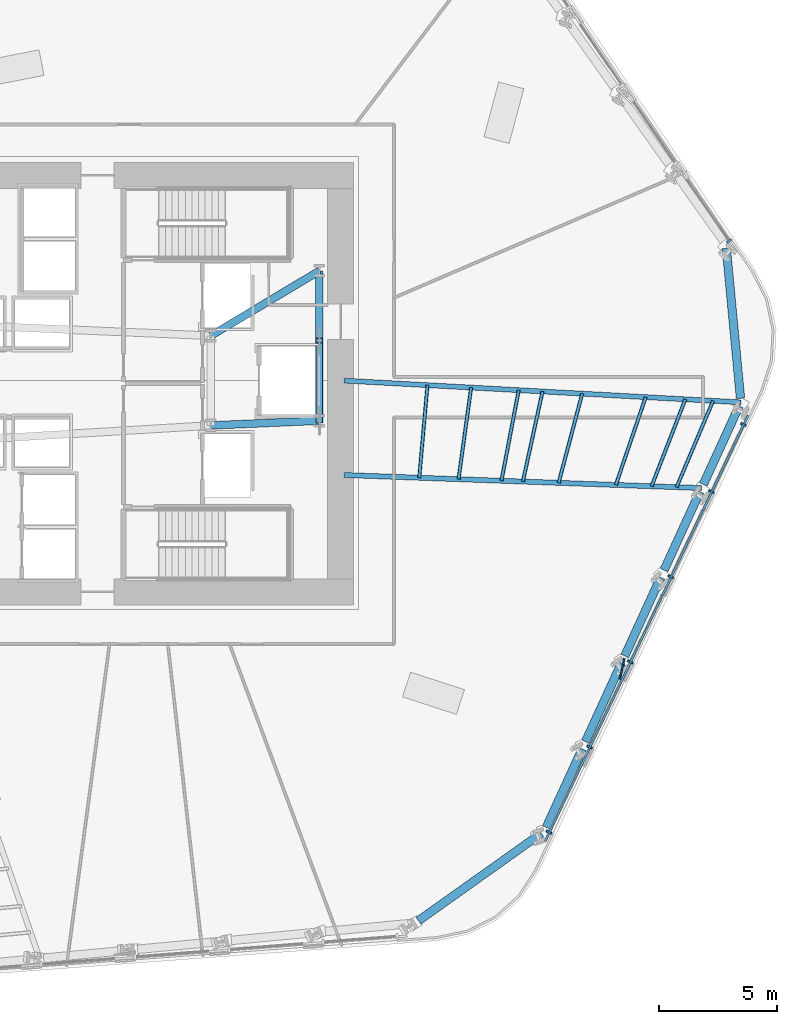
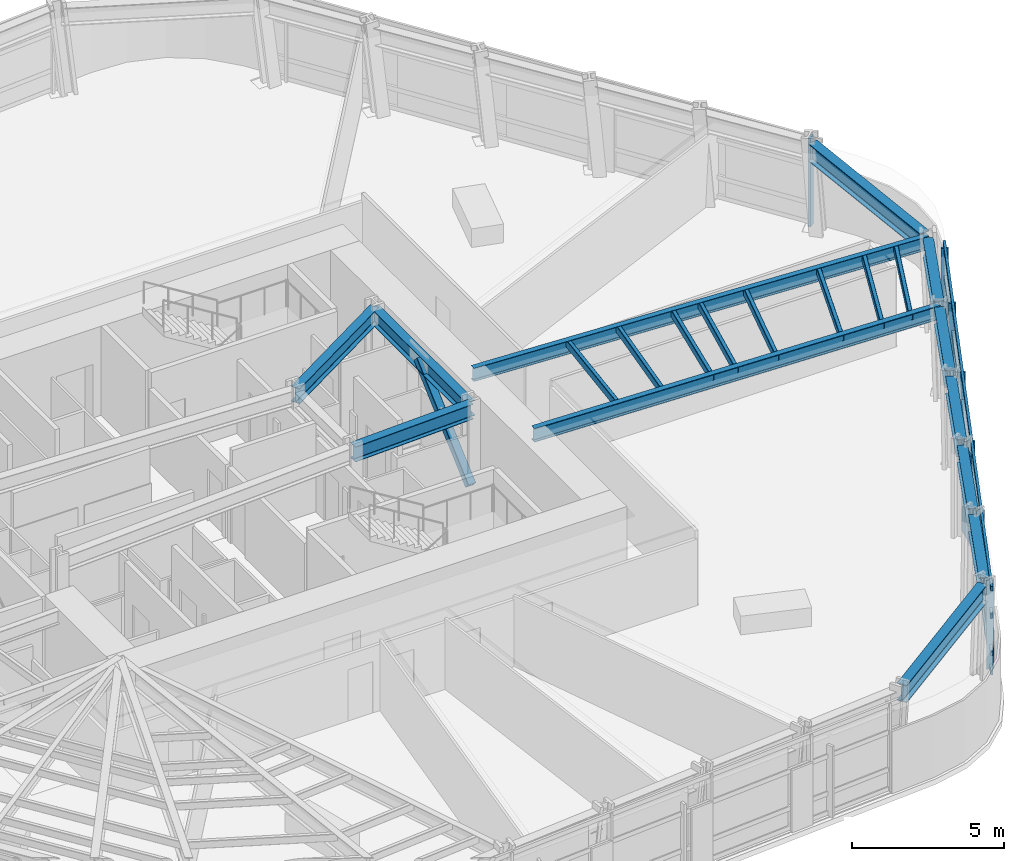
# One storey, part 4 of 15: 21 members, 12 beams, 2 elements without a shape of their own.
"""IFC4 building model written with IfcOpenShell, lengths in metres."""

from ifc_helpers import new_model, si_unit, direction, frame, origin, origin_2d, place, context, subcontext, project, spatial, rectangle, hollow_rectangle, i_section, extrude, material, layer, layer_set, material_profile, profile_set, type_object, element, aggregate, save


model = new_model("IFC4")

# Units and contexts
model_context = context("Model", 3, precision=1e-05, world=origin(), true_north=direction((0.0, 1.0)))
body_context = subcontext(model_context, "Body", "Model", "MODEL_VIEW")
ifc_project = project(units=[si_unit("LENGTHUNIT", "METRE"), si_unit("AREAUNIT", "SQUARE_METRE"), si_unit("VOLUMEUNIT", "CUBIC_METRE"), si_unit("PLANEANGLEUNIT", "RADIAN"), si_unit("MASSUNIT", "GRAM", prefix="KILO")], contexts=[model_context])

# Site, building, storey
site_placement = place(None, origin())
site = spatial("IfcSite", under=ifc_project, at=site_placement, CompositionType="ELEMENT")
building_placement = place(site_placement, origin())
building = spatial("IfcBuilding", under=site, at=building_placement, Name="Valkerne Bourse Tower", CompositionType="ELEMENT")
storey_placement = place(building_placement, frame((0.0, 0.0, 43.0)))
storey = spatial("IfcBuildingStorey", under=building, at=storey_placement, Name="L10", CompositionType="ELEMENT", Elevation=43.0)

# Beams
ifc_material_1 = material(Name="Steel ASTM A992", Category="steel")
ifc_material_profile_1 = material_profile(ifc_material_1, i_section(OverallWidth=0.209228515625, OverallDepth=0.533447265625, WebThickness=0.01025390625, FlangeThickness=0.015625, FilletRadius=0.017822265625, at=origin_2d()), Name="W21X62")
ifc_profile_set_1 = profile_set([ifc_material_profile_1], Name="Steel ASTM A992")
beam_type_1 = type_object("IfcBeamType", Name="BM-W21X62", PredefinedType="JOIST", material=ifc_profile_set_1)
beam_1_placement = place(storey_placement, frame((72.8095703125, 26.0791015625, 3.313232421875), z_axis=(-0.998502716611, 0.054702147317, 0.0), x_axis=(-0.054702147317, -0.998502716611, 0.0)))
element("IfcBeam", 1, at=beam_1_placement, inside=storey, type_object=beam_type_1, Name="L10 Radial Composite Floor Beam 35", PredefinedType="JOIST", context=body_context, shape_type="SweptSolid", body=[
    extrude(i_section(OverallWidth=0.209228515625, OverallDepth=0.533447265625, WebThickness=0.01025390625, FlangeThickness=0.015625, FilletRadius=0.017822265625, at=origin_2d()), origin(), (0.0, 0.0, 1.0), 16.834716796875),
])
ifc_material_profile_2 = material_profile(ifc_material_1, i_section(OverallWidth=0.2138671875, OverallDepth=0.548583984375, WebThickness=0.0146484375, FlangeThickness=0.023681640625, FilletRadius=0.017822265625, at=origin_2d()), Name="W21X93")
ifc_profile_set_2 = profile_set([ifc_material_profile_2], Name="Steel ASTM A992")
beam_type_2 = type_object("IfcBeamType", Name="BM-W21X93", PredefinedType="BEAM", material=ifc_profile_set_2)
beam_2_placement = place(storey_placement, frame((71.14599609375, 22.44580078125, 3.3056640625), z_axis=(-0.999331239962, 0.036566006556, 0.0), x_axis=(-0.036566006556, -0.999331239962, 0.0)))
element("IfcBeam", 2, at=beam_2_placement, inside=storey, type_object=beam_type_2, Name="L10 Radial Composite Floor Beam 34", PredefinedType="BEAM", context=body_context, shape_type="SweptSolid", body=[
    extrude(i_section(OverallWidth=0.2138671875, OverallDepth=0.548583984375, WebThickness=0.0146484375, FlangeThickness=0.023681640625, FilletRadius=0.017822265625, at=origin_2d()), origin(), (0.0, 0.0, 1.0), 15.15625),
])
ifc_material_profile_3 = material_profile(ifc_material_1, i_section(OverallWidth=0.3251953125, OverallDepth=0.612060546875, WebThickness=0.0126953125, FlangeThickness=0.01904296875, FilletRadius=0.020263671875, at=origin_2d()), Name="W24X104")
ifc_profile_set_3 = profile_set([ifc_material_profile_3], Name="Steel ASTM A992")
beam_type_3 = type_object("IfcBeamType", Name="BM-W24X104", PredefinedType="BEAM", material=ifc_profile_set_3)
beam_3_placement = place(storey_placement, frame((50.35009765625, 25.10009765625, 3.27392578125), z_axis=(0.999056558506, 0.043428019819, 0.0), x_axis=(-0.043428019819, 0.999056558506, 0.0)))
element("IfcBeam", 3, at=beam_3_placement, inside=storey, type_object=beam_type_3, Name="L10 Core Frame Girder CG-SE", PredefinedType="BEAM", context=body_context, shape_type="SweptSolid", body=[
    extrude(i_section(OverallWidth=0.3251953125, OverallDepth=0.612060546875, WebThickness=0.0126953125, FlangeThickness=0.01904296875, FilletRadius=0.020263671875, at=origin_2d()), origin(), (0.0, 0.0, 1.0), 4.604248046875),
])
beam_4_placement = place(storey_placement, frame((50.35009765625, 28.89990234375, 3.27392578125), z_axis=(0.858307823492, 0.513135148019, 0.0), x_axis=(-0.513135148019, 0.858307823492, 0.0)))
element("IfcBeam", 4, at=beam_4_placement, inside=storey, type_object=beam_type_3, Name="L10 Core Frame Girder CG-NE", PredefinedType="BEAM", context=body_context, shape_type="SweptSolid", body=[
    extrude(i_section(OverallWidth=0.3251953125, OverallDepth=0.612060546875, WebThickness=0.0126953125, FlangeThickness=0.01904296875, FilletRadius=0.020263671875, at=origin_2d()), origin(), (0.0, 0.0, 1.0), 5.359130859375),
])
beam_5_placement = place(storey_placement, frame((54.949951171875, 25.300048828125, 3.27392578125), z_axis=(0.0, 1.0, 0.0), x_axis=(-1.0, 0.0, 0.0)))
element("IfcBeam", 5, at=beam_5_placement, inside=storey, type_object=beam_type_3, Name="L10 Core Frame Girder CG-EE", PredefinedType="BEAM", context=body_context, shape_type="SweptSolid", body=[
    extrude(i_section(OverallWidth=0.3251953125, OverallDepth=0.612060546875, WebThickness=0.0126953125, FlangeThickness=0.01904296875, FilletRadius=0.020263671875, at=origin_2d()), origin(), (0.0, 0.0, 1.0), 6.349853515625),
])
ifc_material_profile_4 = material_profile(ifc_material_1, i_section(OverallWidth=0.358154296875, OverallDepth=0.7060546875, WebThickness=0.018310546875, FlangeThickness=0.0302734375, FilletRadius=0.02294921875, at=origin_2d()), Name="W27X178")
ifc_profile_set_4 = profile_set([ifc_material_profile_4], Name="Steel ASTM A992")
beam_type_4 = type_object("IfcBeamType", Name="BM-W27X178", PredefinedType="SPANDREL", material=ifc_profile_set_4)
beam_6_placement = place(storey_placement, frame((59.14599609375, 4.113037109375, 3.226806640625), z_axis=(0.815112506317, 0.579302686033, 0.0), x_axis=(-0.579302686033, 0.815112506317, 0.0)))
element("IfcBeam", 6, at=beam_6_placement, inside=storey, type_object=beam_type_4, Name="L10 Hexagonal Spandrel Ring Beam 29", PredefinedType="SPANDREL", context=body_context, shape_type="SweptSolid", body=[
    extrude(i_section(OverallWidth=0.358154296875, OverallDepth=0.7060546875, WebThickness=0.018310546875, FlangeThickness=0.0302734375, FilletRadius=0.02294921875, at=origin_2d()), origin(), (0.0, 0.0, 1.0), 6.388916015625),
])
for number, where, z_axis, x_axis, name in (
    (7, (64.56298828125, 8.067138671875, 3.226806640625), (0.416286781049, 0.909233367142, 0.0), (-0.909233367142, 0.416286781049, 0.0), "L10 Hexagonal Spandrel Ring Beam 30"),
    (8, (66.2265625, 11.700439453125, 3.226806640625), (0.416231573984, 0.909258641322, 0.0), (-0.909258641322, 0.416231573984, 0.0), "L10 Hexagonal Spandrel Ring Beam 31"),
    (9, (67.889892578125, 15.333740234375, 3.226806640625), (0.416286781049, 0.909233367142, 0.0), (-0.909233367142, 0.416286781049, 0.0), "L10 Hexagonal Spandrel Ring Beam 32"),
    (10, (69.553466796875, 18.967041015625, 3.226806640625), (0.416231573984, 0.909258641322, 0.0), (-0.909258641322, 0.416231573984, 0.0), "L10 Hexagonal Spandrel Ring Beam 33"),
    (11, (71.216796875, 22.600341796875, 3.226806640625), (0.416286781049, 0.909233367142, 0.0), (-0.909233367142, 0.416286781049, 0.0), "L10 Hexagonal Spandrel Ring Beam 34"),
):
    element("IfcBeam", number, at=place(storey_placement, frame(where, z_axis=z_axis, x_axis=x_axis)), inside=storey, type_object=beam_type_4, Name=name, PredefinedType="SPANDREL", context=body_context, shape_type="SweptSolid", body=[
        extrude(i_section(OverallWidth=0.358154296875, OverallDepth=0.7060546875, WebThickness=0.018310546875, FlangeThickness=0.0302734375, FilletRadius=0.02294921875, at=origin_2d()), origin(), (0.0, 0.0, 1.0), 3.656005859375),
    ])
beam_7_placement = place(storey_placement, frame((72.793701171875, 26.248291015625, 3.226806640625), z_axis=(-0.09411482318, 0.995561349219, 0.0), x_axis=(-0.995561349219, -0.09411482318, 0.0)))
element("IfcBeam", 12, at=beam_7_placement, inside=storey, type_object=beam_type_4, Name="L10 Hexagonal Spandrel Ring Beam 35", PredefinedType="SPANDREL", context=body_context, shape_type="SweptSolid", body=[
    extrude(i_section(OverallWidth=0.358154296875, OverallDepth=0.7060546875, WebThickness=0.018310546875, FlangeThickness=0.0302734375, FilletRadius=0.02294921875, at=origin_2d()), origin(), (0.0, 0.0, 1.0), 6.38916015625),
])

# Curtain wall, member
ifc_material_2 = material(Name="Aluminium AA 6063-T6", Category="aluminium")
ifc_layer = layer(ifc_material_2, 0.22509765625)
ifc_layer_set = layer_set([ifc_layer], Name="Aluminium AA 6063-T6")
curtain_wall_type = type_object("IfcCurtainWallType", Name="CW-01", PredefinedType="NOTDEFINED", material=ifc_layer_set)
curtain_wall_1_placement = place(storey_placement, origin())
curtain_wall_1 = element("IfcCurtainWall", 13, at=curtain_wall_1_placement, inside=storey, type_object=curtain_wall_type, Name="L10 Hexagonal Stick Curtain Wall Face 1", PredefinedType="NOTDEFINED")
ifc_material_profile_5 = material_profile(ifc_material_2, rectangle(XDim=0.090087890625, YDim=0.239990234375, at=origin_2d()), Name="CWM-90X240")
ifc_profile_set_5 = profile_set([ifc_material_profile_5], Name="Aluminium AA 6063-T6")
member_type_1 = type_object("IfcMemberType", Name="CW-MUL-240X90", PredefinedType="MULLION", material=ifc_profile_set_5)
member_1_placement = place(storey_placement, frame((72.306396484375, 32.917724609375, 0.0), z_axis=(0.0, 0.0, 1.0), x_axis=(-0.566414114299, 0.824120774597, 0.0)))
member_1 = element("IfcMember", 14, at=member_1_placement, type_object=member_type_1, Name="CW-L10-F1 Jamb Mullion 00A", PredefinedType="MULLION", context=body_context, shape_type="SweptSolid", body=[
    extrude(rectangle(XDim=0.090087890625, YDim=0.239990234375, at=origin_2d()), origin(), (0.0, 0.0, 1.0), 3.580078125),
])
aggregate(curtain_wall_1, [member_1])

# Curtain wall, members
curtain_wall_2_placement = place(storey_placement, origin())
curtain_wall_2 = element("IfcCurtainWall", 15, at=curtain_wall_2_placement, inside=storey, type_object=curtain_wall_type, Name="L10 Hexagonal Stick Curtain Wall Face 6", PredefinedType="NOTDEFINED")
member_2_placement = place(storey_placement, frame((64.677978515625, 7.86962890625, 0.0), z_axis=(0.0, 0.0, 1.0), x_axis=(0.430499812509, 0.902590666598, 0.0)))
member_2 = element("IfcMember", 16, at=member_2_placement, type_object=member_type_1, Name="CW-L10-F6 Jamb Mullion 00A", PredefinedType="MULLION", context=body_context, shape_type="SweptSolid", body=[
    extrude(rectangle(XDim=0.090087890625, YDim=0.239990234375, at=origin_2d()), origin(), (0.0, 0.0, 1.0), 3.580078125),
])
member_3_placement = place(storey_placement, frame((66.398193359375, 11.4765625, 0.0), z_axis=(0.0, 0.0, 1.0), x_axis=(0.430529923211, 0.902576304375, 0.0)))
member_3 = element("IfcMember", 17, at=member_3_placement, type_object=member_type_1, Name="CW-L10-F6 Jamb Mullion 01A", PredefinedType="MULLION", context=body_context, shape_type="SweptSolid", body=[
    extrude(rectangle(XDim=0.090087890625, YDim=0.239990234375, at=origin_2d()), origin(), (0.0, 0.0, 1.0), 3.580078125),
])
member_4_placement = place(storey_placement, frame((68.11865234375, 15.083251953125, 0.0), z_axis=(0.0, 0.0, 1.0), x_axis=(0.430509536417, 0.902586028617, 0.0)))
member_4 = element("IfcMember", 18, at=member_4_placement, type_object=member_type_1, Name="CW-L10-F6 Jamb Mullion 02A", PredefinedType="MULLION", context=body_context, shape_type="SweptSolid", body=[
    extrude(rectangle(XDim=0.090087890625, YDim=0.239990234375, at=origin_2d()), origin(), (0.0, 0.0, 1.0), 3.580078125),
])
member_5_placement = place(storey_placement, frame((69.839111328125, 18.68994140625, 0.0), z_axis=(0.0, 0.0, 1.0), x_axis=(0.430499812509, 0.902590666598, 0.0)))
member_5 = element("IfcMember", 19, at=member_5_placement, type_object=member_type_1, Name="CW-L10-F6 Jamb Mullion 03A", PredefinedType="MULLION", context=body_context, shape_type="SweptSolid", body=[
    extrude(rectangle(XDim=0.090087890625, YDim=0.239990234375, at=origin_2d()), origin(), (0.0, 0.0, 1.0), 3.580078125),
])
member_6_placement = place(storey_placement, frame((71.559326171875, 22.296630859375, 0.0), z_axis=(0.0, 0.0, 1.0), x_axis=(0.430509536417, 0.902586028617, 0.0)))
member_6 = element("IfcMember", 20, at=member_6_placement, type_object=member_type_1, Name="CW-L10-F6 Jamb Mullion 04A", PredefinedType="MULLION", context=body_context, shape_type="SweptSolid", body=[
    extrude(rectangle(XDim=0.090087890625, YDim=0.239990234375, at=origin_2d()), origin(), (0.0, 0.0, 1.0), 3.580078125),
])
member_7_placement = place(storey_placement, frame((72.91796875, 25.145263671875, 0.0), z_axis=(0.0, 0.0, 1.0), x_axis=(0.430509536417, 0.902586028617, 0.0)))
member_7 = element("IfcMember", 21, at=member_7_placement, type_object=member_type_1, Name="CW-L10-F6 Jamb Mullion 04B", PredefinedType="MULLION", context=body_context, shape_type="SweptSolid", body=[
    extrude(rectangle(XDim=0.090087890625, YDim=0.239990234375, at=origin_2d()), origin(), (0.0, 0.0, 1.0), 3.580078125),
])
ifc_material_profile_6 = material_profile(ifc_material_2, rectangle(XDim=0.090087890625, YDim=0.179931640625, at=origin_2d()), Name="CWT-90X180")
ifc_profile_set_6 = profile_set([ifc_material_profile_6], Name="Aluminium AA 6063-T6")
member_type_2 = type_object("IfcMemberType", Name="CW-TRN-180X90", PredefinedType="USERDEFINED", material=ifc_profile_set_6)
member_8_placement = place(storey_placement, frame((64.51513671875, 7.48193359375, 0.1201171875), z_axis=(0.430508362314, 0.902586588632, 0.0), x_axis=(-0.902586588632, 0.430508362314, 0.0)))
member_8 = element("IfcMember", 22, at=member_8_placement, type_object=member_type_2, Name="CW-L10-F6 Continuous Face Transom 1", ObjectType="TRANSOM", PredefinedType="USERDEFINED", context=body_context, shape_type="SweptSolid", body=[
    extrude(rectangle(XDim=0.090087890625, YDim=0.179931640625, at=origin_2d()), origin(), (0.0, 0.0, 1.0), 19.97998046875),
])
member_9_placement = place(storey_placement, frame((64.51513671875, 7.48193359375, 0.89990234375), z_axis=(0.430508362314, 0.902586588632, 0.0), x_axis=(-0.902586588632, 0.430508362314, 0.0)))
member_9 = element("IfcMember", 23, at=member_9_placement, type_object=member_type_2, Name="CW-L10-F6 Continuous Face Transom 2", ObjectType="TRANSOM", PredefinedType="USERDEFINED", context=body_context, shape_type="SweptSolid", body=[
    extrude(rectangle(XDim=0.090087890625, YDim=0.179931640625, at=origin_2d()), origin(), (0.0, 0.0, 1.0), 19.97998046875),
])
member_10_placement = place(storey_placement, frame((64.51513671875, 7.48193359375, 2.39990234375), z_axis=(0.430508362314, 0.902586588632, 0.0), x_axis=(-0.902586588632, 0.430508362314, 0.0)))
member_10 = element("IfcMember", 24, at=member_10_placement, type_object=member_type_2, Name="CW-L10-F6 Continuous Face Transom 3", ObjectType="TRANSOM", PredefinedType="USERDEFINED", context=body_context, shape_type="SweptSolid", body=[
    extrude(rectangle(XDim=0.090087890625, YDim=0.179931640625, at=origin_2d()), origin(), (0.0, 0.0, 1.0), 19.97998046875),
])
member_11_placement = place(storey_placement, frame((64.51513671875, 7.48193359375, 3.5), z_axis=(0.430508362314, 0.902586588632, 0.0), x_axis=(-0.902586588632, 0.430508362314, 0.0)))
member_11 = element("IfcMember", 25, at=member_11_placement, type_object=member_type_2, Name="CW-L10-F6 Continuous Face Transom 4", ObjectType="TRANSOM", PredefinedType="USERDEFINED", context=body_context, shape_type="SweptSolid", body=[
    extrude(rectangle(XDim=0.090087890625, YDim=0.179931640625, at=origin_2d()), origin(), (0.0, 0.0, 1.0), 19.97998046875),
])
aggregate(curtain_wall_2, [member_8, member_9, member_10, member_11, member_2, member_3, member_4, member_5, member_6, member_7])

# Members
ifc_material_3 = material(Name="Bronze Anodised Aluminium AA 6063-T6", Category="aluminium")
ifc_material_profile_7 = material_profile(ifc_material_3, rectangle(XDim=0.070068359375, YDim=0.89990234375, at=origin_2d()), Name="FIN-70X900")
ifc_profile_set_7 = profile_set([ifc_material_profile_7], Name="Bronze Anodised Aluminium AA 6063-T6")
member_type_3 = type_object("IfcMemberType", Name="FIN-SOLAR-900", PredefinedType="USERDEFINED", material=ifc_profile_set_7)
member_12_placement = place(storey_placement, frame((67.775390625, 14.781494140625, 0.00390625), z_axis=(0.0, 0.0, 1.0), x_axis=(0.97910113818, -0.203373944287, 0.0)))
element("IfcMember", 26, at=member_12_placement, inside=storey, type_object=member_type_3, Name="L10 Bronze Anodised Solar Fin F6-02", ObjectType="SOLAR_FIN", PredefinedType="USERDEFINED", context=body_context, shape_type="SweptSolid", body=[
    extrude(rectangle(XDim=0.070068359375, YDim=0.89990234375, at=origin_2d()), origin(), (0.0, 0.0, 1.0), 3.572021484375),
])
ifc_material_4 = material(Name="Steel ASTM A500 Grade C", Category="steel")
ifc_material_profile_8 = material_profile(ifc_material_4, hollow_rectangle(XDim=0.14990234375, YDim=0.300048828125, WallThickness=0.012451171875, OuterFilletRadius=0.02490234375, at=origin_2d()), Name="HSS300X150X12.5")
ifc_profile_set_8 = profile_set([ifc_material_profile_8], Name="Steel ASTM A500 Grade C")
member_type_4 = type_object("IfcMemberType", Name="MBR-HSS300X150X12.5", PredefinedType="PURLIN", material=ifc_profile_set_8)
member_13_placement = place(storey_placement, frame((60.8466796875, 22.82275390625, 3.419921875), z_axis=(0.135872114945, 0.990726384215, 0.0), x_axis=(-0.990726384215, 0.135872114945, 0.0)))
element("IfcMember", 27, at=member_13_placement, inside=storey, type_object=member_type_4, Name="L10 Secondary Composite Floor Purlin I-34", PredefinedType="PURLIN", context=body_context, shape_type="SweptSolid", body=[
    extrude(hollow_rectangle(XDim=0.14990234375, YDim=0.300048828125, WallThickness=0.012451171875, OuterFilletRadius=0.02490234375, at=origin_2d()), origin(), (0.0, 0.0, 1.0), 3.9189453125),
])
member_14_placement = place(storey_placement, frame((62.664306640625, 22.756103515625, 3.419921875), z_axis=(0.18730158156, 0.982302457263, 0.0), x_axis=(-0.982302457263, 0.18730158156, 0.0)))
element("IfcMember", 28, at=member_14_placement, inside=storey, type_object=member_type_4, Name="L10 Secondary Composite Floor Purlin K-34", PredefinedType="PURLIN", context=body_context, shape_type="SweptSolid", body=[
    extrude(hollow_rectangle(XDim=0.14990234375, YDim=0.300048828125, WallThickness=0.012451171875, OuterFilletRadius=0.02490234375, at=origin_2d()), origin(), (0.0, 0.0, 1.0), 3.90771484375),
])
member_15_placement = place(storey_placement, frame((63.572998046875, 22.722900390625, 3.419921875), z_axis=(0.212938191218, 0.977065671652, 0.0), x_axis=(-0.977065671652, 0.212938191218, 0.0)))
element("IfcMember", 29, at=member_15_placement, inside=storey, type_object=member_type_4, Name="L10 Secondary Composite Floor Purlin M-34", PredefinedType="PURLIN", context=body_context, shape_type="SweptSolid", body=[
    extrude(hollow_rectangle(XDim=0.14990234375, YDim=0.300048828125, WallThickness=0.012451171875, OuterFilletRadius=0.02490234375, at=origin_2d()), origin(), (0.0, 0.0, 1.0), 3.90625),
])
member_16_placement = place(storey_placement, frame((67.510986328125, 22.578857421875, 3.419921875), z_axis=(0.321720086532, 0.946834825047, 0.0), x_axis=(-0.946834825047, 0.321720086532, 0.0)))
element("IfcMember", 30, at=member_16_placement, inside=storey, type_object=member_type_4, Name="L10 Secondary Composite Floor Purlin O-34", PredefinedType="PURLIN", context=body_context, shape_type="SweptSolid", body=[
    extrude(hollow_rectangle(XDim=0.14990234375, YDim=0.300048828125, WallThickness=0.012451171875, OuterFilletRadius=0.02490234375, at=origin_2d()), origin(), (0.0, 0.0, 1.0), 3.93017578125),
])
member_17_placement = place(storey_placement, frame((65.087646484375, 22.66748046875, 3.419921875), z_axis=(0.255283184631, 0.966866327702, 0.0), x_axis=(-0.966866327702, 0.255283184631, 0.0)))
element("IfcMember", 31, at=member_17_placement, inside=storey, type_object=member_type_4, Name="L10 Secondary Composite Floor Purlin Z-34", PredefinedType="PURLIN", context=body_context, shape_type="SweptSolid", body=[
    extrude(hollow_rectangle(XDim=0.14990234375, YDim=0.300048828125, WallThickness=0.012451171875, OuterFilletRadius=0.02490234375, at=origin_2d()), origin(), (0.0, 0.0, 1.0), 3.90966796875),
])
member_18_placement = place(storey_placement, frame((59.1806640625, 22.883544921875, 3.419921875), z_axis=(0.08870242347, 0.996058171027, 0.0), x_axis=(-0.996058171027, 0.08870242347, 0.0)))
element("IfcMember", 32, at=member_18_placement, inside=storey, type_object=member_type_4, Name="L10 Secondary Composite Floor Purlin S-34", PredefinedType="PURLIN", context=body_context, shape_type="SweptSolid", body=[
    extrude(hollow_rectangle(XDim=0.14990234375, YDim=0.300048828125, WallThickness=0.012451171875, OuterFilletRadius=0.02490234375, at=origin_2d()), origin(), (0.0, 0.0, 1.0), 3.938720703125),
])
member_19_placement = place(storey_placement, frame((69.025634765625, 22.5234375, 3.419921875), z_axis=(0.36195737063, 0.932194648046, 0.0), x_axis=(-0.932194648046, 0.36195737063, 0.0)))
element("IfcMember", 33, at=member_19_placement, inside=storey, type_object=member_type_4, Name="L10 Secondary Composite Floor Purlin T-34", PredefinedType="PURLIN", context=body_context, shape_type="SweptSolid", body=[
    extrude(hollow_rectangle(XDim=0.14990234375, YDim=0.300048828125, WallThickness=0.012451171875, OuterFilletRadius=0.02490234375, at=origin_2d()), origin(), (0.0, 0.0, 1.0), 3.95263671875),
])
member_20_placement = place(storey_placement, frame((70.0859375, 22.484619140625, 3.419921875), z_axis=(0.389397384323, 0.921069854616, 0.0), x_axis=(-0.921069854616, 0.389397384323, 0.0)))
element("IfcMember", 34, at=member_20_placement, inside=storey, type_object=member_type_4, Name="L10 Secondary Composite Floor Purlin U-34", PredefinedType="PURLIN", context=body_context, shape_type="SweptSolid", body=[
    extrude(hollow_rectangle(XDim=0.14990234375, YDim=0.300048828125, WallThickness=0.012451171875, OuterFilletRadius=0.02490234375, at=origin_2d()), origin(), (0.0, 0.0, 1.0), 3.972412109375),
])
ifc_material_profile_9 = material_profile(ifc_material_4, hollow_rectangle(XDim=0.300048828125, YDim=0.300048828125, WallThickness=0.012451171875, OuterFilletRadius=0.02490234375, at=origin_2d()), Name="HSS300X300X12.5")
ifc_profile_set_9 = profile_set([ifc_material_profile_9], Name="Steel ASTM A500 Grade C")
member_type_5 = type_object("IfcMemberType", Name="MBR-HSS300X300X12.5", PredefinedType="STRUT", material=ifc_profile_set_9)
member_21_placement = place(storey_placement, frame((54.949951171875, 25.300048828125, 0.219970703125), z_axis=(0.0, 0.743941933778, 0.668244266094), x_axis=(-1.0, 0.0, 0.0)))
element("IfcMember", 35, at=member_21_placement, inside=storey, type_object=member_type_5, Name="L10 Core Service Pier Lateral Brace", PredefinedType="STRUT", context=body_context, shape_type="SweptSolid", body=[
    extrude(hollow_rectangle(XDim=0.300048828125, YDim=0.300048828125, WallThickness=0.012451171875, OuterFilletRadius=0.02490234375, at=origin_2d()), origin(), (0.0, 0.0, 1.0), 4.570068359375),
])

save(model, "model.ifc")
